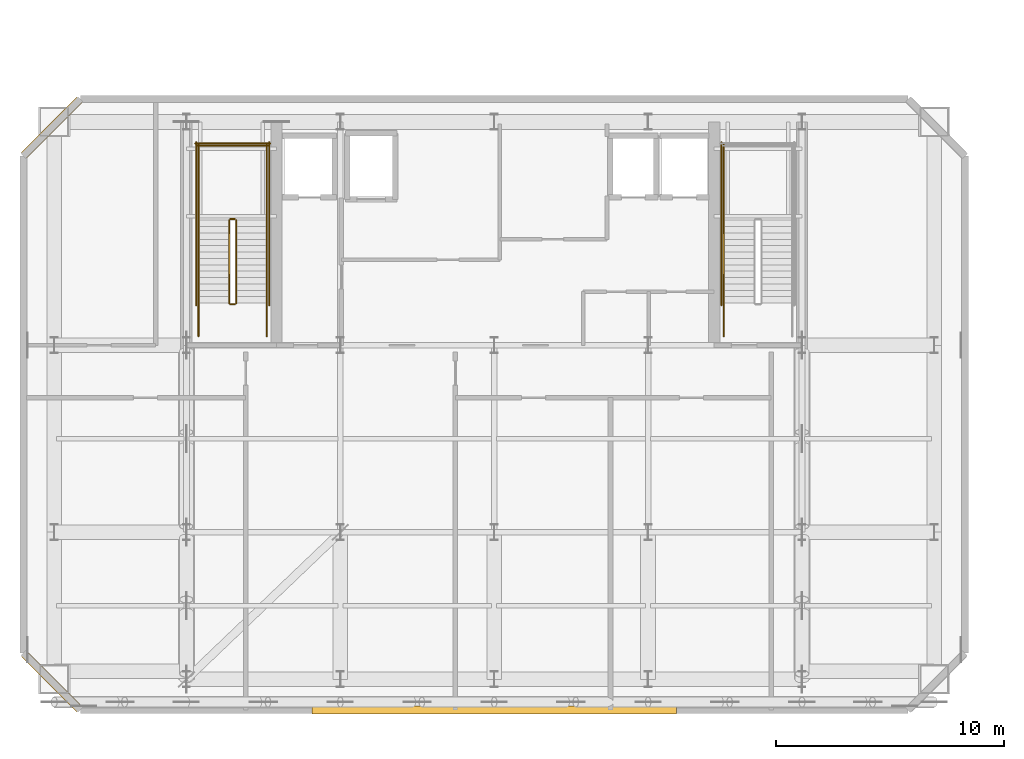
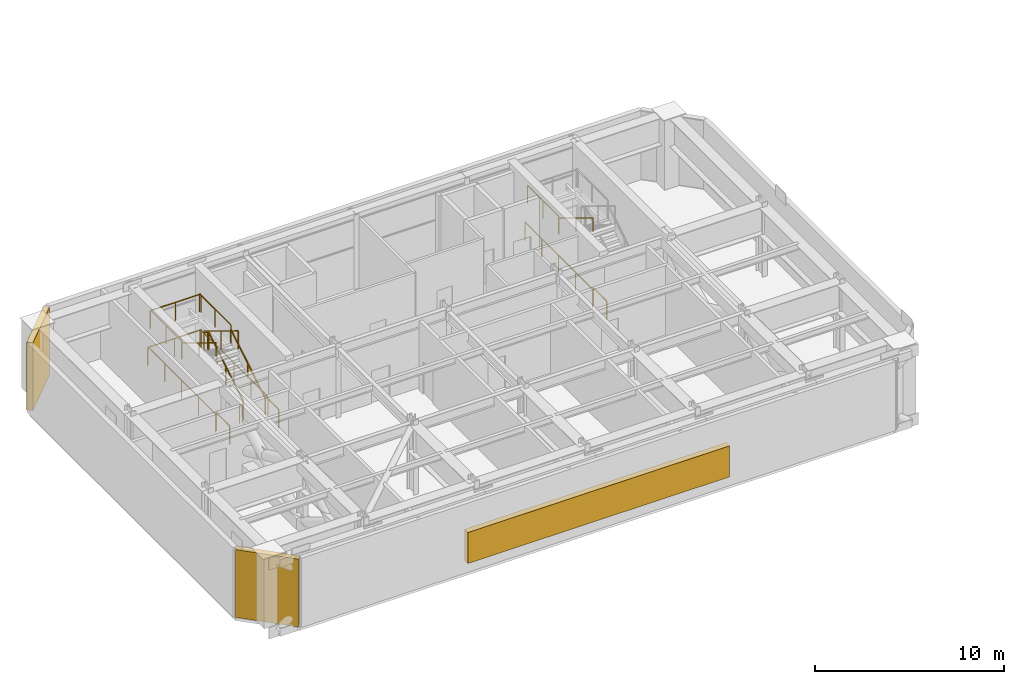
# One storey, part 12 of 15: 18 railings, 3 shading devices.
"""IFC4 building model written with IfcOpenShell, lengths in metres."""

from ifc_helpers import new_model, si_unit, direction, frame, origin, origin_2d, place, context, subcontext, project, spatial, rectangle, extrude, material, layer, layer_set, type_object, element, save


model = new_model("IFC4")

# Units and contexts
model_context = context("Model", 3, precision=1e-05, world=origin(), true_north=direction((0.0, 1.0)))
body_context = subcontext(model_context, "Body", "Model", "MODEL_VIEW")
ifc_project = project(units=[si_unit("LENGTHUNIT", "METRE"), si_unit("AREAUNIT", "SQUARE_METRE"), si_unit("VOLUMEUNIT", "CUBIC_METRE"), si_unit("PLANEANGLEUNIT", "RADIAN"), si_unit("MASSUNIT", "GRAM", prefix="KILO")], contexts=[model_context])

# Site, building, storey
site_placement = place(None, origin())
site = spatial("IfcSite", under=ifc_project, at=site_placement, CompositionType="ELEMENT")
building_placement = place(site_placement, origin())
building = spatial("IfcBuilding", under=site, at=building_placement, Name="Haevon Station Towers", CompositionType="ELEMENT")
storey_placement = place(building_placement, frame((0.0, 0.0, 192.300048828125)))
storey = spatial("IfcBuildingStorey", under=building, at=storey_placement, Name="L53", CompositionType="ELEMENT", Elevation=192.300048828125)

# Railings
ifc_material_1 = material(Name="Steel S355", Category="steel")
railing_type_1 = type_object("IfcRailingType", Name="GRD-STR1200", PredefinedType="GUARDRAIL", material=ifc_material_1)
railing_1_placement = place(storey_placement, frame((26.179931640625, 40.050048828125, 0.17138671875)))
element("IfcRailing", 1, at=railing_1_placement, inside=storey, type_object=railing_type_1, Name="L53 ST1 Stair Guard 1", PredefinedType="GUARDRAIL", context=body_context, shape_type="SweptSolid", body=[
    extrude(rectangle(XDim=0.048095703125, YDim=0.048095703125, at=origin_2d()), frame((0.0, 0.0, 1.17578125), z_axis=(0.0, 0.852850264322, 0.5221555579), x_axis=(-1.0, 0.0, 0.0)), (0.0, 0.0, 1.0), 4.267822265625),
    extrude(rectangle(XDim=0.0419921875, YDim=0.0419921875, at=origin_2d()), origin(), (0.0, 0.0, 1.0), 1.15185546875),
    extrude(rectangle(XDim=0.0419921875, YDim=0.0419921875, at=origin_2d()), frame((0.0, 1.81982421875, 1.1142578125)), (0.0, 0.0, 1.0), 1.15185546875),
    extrude(rectangle(XDim=0.0419921875, YDim=0.0419921875, at=origin_2d()), frame((0.0, 3.639892578125, 2.228515625)), (0.0, 0.0, 1.0), 1.15185546875),
])
railing_2_placement = place(storey_placement, frame((26.1298828125, 43.739990234375, 2.39990234375)))
element("IfcRailing", 2, at=railing_2_placement, inside=storey, type_object=railing_type_1, Name="L53 ST1 Stair Guard 2", PredefinedType="GUARDRAIL", context=body_context, shape_type="SweptSolid", body=[
    extrude(rectangle(XDim=0.048095703125, YDim=0.048095703125, at=origin_2d()), frame((0.0, 0.0, 1.17578125), z_axis=(-1.0, 0.0, 0.0), x_axis=(0.0, -1.0, 0.0)), (0.0, 0.0, 1.0), 0.199951171875),
    extrude(rectangle(XDim=0.0419921875, YDim=0.0419921875, at=origin_2d()), origin(), (0.0, 0.0, 1.0), 1.15185546875),
    extrude(rectangle(XDim=0.0419921875, YDim=0.0419921875, at=origin_2d()), frame((-0.199951171875, 0.0, 0.0)), (0.0, 0.0, 1.0), 1.15185546875),
])
for number, where, name in (
    (3, (27.530029296875, 43.68994140625, 2.39990234375), "L53 ST1 Stair Guard 3"),
    (4, (24.530029296875, 43.68994140625, 2.39990234375), "L53 ST1 Stair Guard 4"),
):
    element("IfcRailing", number, at=place(storey_placement, frame(where)), inside=storey, type_object=railing_type_1, Name=name, PredefinedType="GUARDRAIL", context=body_context, shape_type="SweptSolid", body=[
        extrude(rectangle(XDim=0.048095703125, YDim=0.048095703125, at=origin_2d()), frame((0.0, 0.0, 1.17578125), z_axis=(0.0, 1.0, 0.0), x_axis=(-1.0, 0.0, 0.0)), (0.0, 0.0, 1.0), 3.31005859375),
        extrude(rectangle(XDim=0.0419921875, YDim=0.0419921875, at=origin_2d()), origin(), (0.0, 0.0, 1.0), 1.15185546875),
        extrude(rectangle(XDim=0.0419921875, YDim=0.0419921875, at=origin_2d()), frame((0.0, 1.655029296875, 0.0)), (0.0, 0.0, 1.0), 1.15185546875),
        extrude(rectangle(XDim=0.0419921875, YDim=0.0419921875, at=origin_2d()), frame((0.0, 3.31005859375, 0.0)), (0.0, 0.0, 1.0), 1.15185546875),
    ])
railing_3_placement = place(storey_placement, frame((27.580078125, 46.949951171875, 2.39990234375)))
element("IfcRailing", 5, at=railing_3_placement, inside=storey, type_object=railing_type_1, Name="L53 ST1 Stair Guard 5", PredefinedType="GUARDRAIL", context=body_context, shape_type="SweptSolid", body=[
    extrude(rectangle(XDim=0.048095703125, YDim=0.048095703125, at=origin_2d()), frame((0.0, 0.0, 1.17578125), z_axis=(-1.0, 0.0, 0.0), x_axis=(0.0, -1.0, 0.0)), (0.0, 0.0, 1.0), 3.10009765625),
    extrude(rectangle(XDim=0.0419921875, YDim=0.0419921875, at=origin_2d()), origin(), (0.0, 0.0, 1.0), 1.15185546875),
    extrude(rectangle(XDim=0.0419921875, YDim=0.0419921875, at=origin_2d()), frame((-1.550048828125, 0.0, 0.0)), (0.0, 0.0, 1.0), 1.15185546875),
    extrude(rectangle(XDim=0.0419921875, YDim=0.0419921875, at=origin_2d()), frame((-3.10009765625, 0.0, 0.0)), (0.0, 0.0, 1.0), 1.15185546875),
])
railing_4_placement = place(storey_placement, frame((25.8798828125, 43.68994140625, 2.5712890625)))
element("IfcRailing", 6, at=railing_4_placement, inside=storey, type_object=railing_type_1, Name="L53 ST1 Stair Guard 6", PredefinedType="GUARDRAIL", context=body_context, shape_type="SweptSolid", body=[
    extrude(rectangle(XDim=0.048095703125, YDim=0.048095703125, at=origin_2d()), frame((0.0, 0.0, 1.17578125), z_axis=(0.0, -0.852824790078, 0.522197163366), x_axis=(1.0, 0.0, 0.0)), (0.0, 0.0, 1.0), 4.26806640625),
    extrude(rectangle(XDim=0.0419921875, YDim=0.0419921875, at=origin_2d()), origin(), (0.0, 0.0, 1.0), 1.15185546875),
    extrude(rectangle(XDim=0.0419921875, YDim=0.0419921875, at=origin_2d()), frame((0.0, -1.81982421875, 1.1142578125)), (0.0, 0.0, 1.0), 1.15185546875),
    extrude(rectangle(XDim=0.0419921875, YDim=0.0419921875, at=origin_2d()), frame((0.0, -3.639892578125, 2.228759765625)), (0.0, 0.0, 1.0), 1.15185546875),
])
railing_5_placement = place(storey_placement, frame((26.1298828125, 40.0, 0.0)))
element("IfcRailing", 7, at=railing_5_placement, inside=storey, type_object=railing_type_1, Name="L53 ST1 Stair Guard 7", PredefinedType="GUARDRAIL", context=body_context, shape_type="SweptSolid", body=[
    extrude(rectangle(XDim=0.048095703125, YDim=0.048095703125, at=origin_2d()), frame((0.0, 0.0, 1.17578125), z_axis=(-1.0, 0.0, 0.0), x_axis=(0.0, -1.0, 0.0)), (0.0, 0.0, 1.0), 0.199951171875),
    extrude(rectangle(XDim=0.0419921875, YDim=0.0419921875, at=origin_2d()), origin(), (0.0, 0.0, 1.0), 1.15185546875),
    extrude(rectangle(XDim=0.0419921875, YDim=0.0419921875, at=origin_2d()), frame((-0.199951171875, 0.0, 0.0)), (0.0, 0.0, 1.0), 1.15185546875),
])
for number, where, name in (
    (8, (27.530029296875, 38.60009765625, 0.0), "L53 ST1 Stair Guard 8"),
    (9, (24.530029296875, 38.60009765625, 0.0), "L53 ST1 Stair Guard 9"),
):
    element("IfcRailing", number, at=place(storey_placement, frame(where)), inside=storey, type_object=railing_type_1, Name=name, PredefinedType="GUARDRAIL", context=body_context, shape_type="SweptSolid", body=[
        extrude(rectangle(XDim=0.048095703125, YDim=0.048095703125, at=origin_2d()), frame((0.0, 0.0, 1.17578125), z_axis=(0.0, 1.0, 0.0), x_axis=(-1.0, 0.0, 0.0)), (0.0, 0.0, 1.0), 1.449951171875),
        extrude(rectangle(XDim=0.0419921875, YDim=0.0419921875, at=origin_2d()), origin(), (0.0, 0.0, 1.0), 1.15185546875),
        extrude(rectangle(XDim=0.0419921875, YDim=0.0419921875, at=origin_2d()), frame((0.0, 1.449951171875, 0.0)), (0.0, 0.0, 1.0), 1.15185546875),
    ])
for number, where, name in (
    (10, (27.6298828125, 39.949951171875, 0.0), "L53 ST1 Stair Guard 10"),
    (11, (24.429931640625, 39.949951171875, 0.0), "L53 ST1 Stair Guard 11"),
):
    element("IfcRailing", number, at=place(storey_placement, frame(where)), inside=storey, type_object=railing_type_1, Name=name, PredefinedType="GUARDRAIL", context=body_context, shape_type="SweptSolid", body=[
        extrude(rectangle(XDim=0.048095703125, YDim=0.048095703125, at=origin_2d()), frame((0.0, 0.0, 1.17578125), z_axis=(0.0, 1.0, 0.0), x_axis=(-1.0, 0.0, 0.0)), (0.0, 0.0, 1.0), 7.150146484375),
        extrude(rectangle(XDim=0.0419921875, YDim=0.0419921875, at=origin_2d()), origin(), (0.0, 0.0, 1.0), 1.15185546875),
        extrude(rectangle(XDim=0.0419921875, YDim=0.0419921875, at=origin_2d()), frame((0.0, 1.78759765625, 0.0)), (0.0, 0.0, 1.0), 1.15185546875),
        extrude(rectangle(XDim=0.0419921875, YDim=0.0419921875, at=origin_2d()), frame((0.0, 3.5751953125, 0.0)), (0.0, 0.0, 1.0), 1.15185546875),
        extrude(rectangle(XDim=0.0419921875, YDim=0.0419921875, at=origin_2d()), frame((0.0, 5.362548828125, 0.0)), (0.0, 0.0, 1.0), 1.15185546875),
        extrude(rectangle(XDim=0.0419921875, YDim=0.0419921875, at=origin_2d()), frame((0.0, 7.150146484375, 0.0)), (0.0, 0.0, 1.0), 1.15185546875),
    ])
railing_6_placement = place(storey_placement, frame((27.679931640625, 47.050048828125, 0.0)))
element("IfcRailing", 12, at=railing_6_placement, inside=storey, type_object=railing_type_1, Name="L53 ST1 Stair Guard 12", PredefinedType="GUARDRAIL", context=body_context, shape_type="SweptSolid", body=[
    extrude(rectangle(XDim=0.048095703125, YDim=0.048095703125, at=origin_2d()), frame((0.0, 0.0, 1.17578125), z_axis=(-1.0, 0.0, 0.0), x_axis=(0.0, -1.0, 0.0)), (0.0, 0.0, 1.0), 3.300048828125),
    extrude(rectangle(XDim=0.0419921875, YDim=0.0419921875, at=origin_2d()), origin(), (0.0, 0.0, 1.0), 1.15185546875),
    extrude(rectangle(XDim=0.0419921875, YDim=0.0419921875, at=origin_2d()), frame((-1.64990234375, 0.0, 0.0)), (0.0, 0.0, 1.0), 1.15185546875),
    extrude(rectangle(XDim=0.0419921875, YDim=0.0419921875, at=origin_2d()), frame((-3.300048828125, 0.0, 0.0)), (0.0, 0.0, 1.0), 1.15185546875),
])
railing_7_placement = place(storey_placement, frame((47.570068359375, 43.68994140625, 2.39990234375)))
element("IfcRailing", 13, at=railing_7_placement, inside=storey, type_object=railing_type_1, Name="L53 ST2 Stair Guard 4", PredefinedType="GUARDRAIL", context=body_context, shape_type="SweptSolid", body=[
    extrude(rectangle(XDim=0.048095703125, YDim=0.048095703125, at=origin_2d()), frame((0.0, 0.0, 1.17578125), z_axis=(0.0, 1.0, 0.0), x_axis=(-1.0, 0.0, 0.0)), (0.0, 0.0, 1.0), 3.31005859375),
    extrude(rectangle(XDim=0.0419921875, YDim=0.0419921875, at=origin_2d()), origin(), (0.0, 0.0, 1.0), 1.15185546875),
    extrude(rectangle(XDim=0.0419921875, YDim=0.0419921875, at=origin_2d()), frame((0.0, 1.655029296875, 0.0)), (0.0, 0.0, 1.0), 1.15185546875),
    extrude(rectangle(XDim=0.0419921875, YDim=0.0419921875, at=origin_2d()), frame((0.0, 3.31005859375, 0.0)), (0.0, 0.0, 1.0), 1.15185546875),
])
railing_8_placement = place(storey_placement, frame((47.570068359375, 38.60009765625, 0.0)))
element("IfcRailing", 14, at=railing_8_placement, inside=storey, type_object=railing_type_1, Name="L53 ST2 Stair Guard 9", PredefinedType="GUARDRAIL", context=body_context, shape_type="SweptSolid", body=[
    extrude(rectangle(XDim=0.048095703125, YDim=0.048095703125, at=origin_2d()), frame((0.0, 0.0, 1.17578125), z_axis=(0.0, 1.0, 0.0), x_axis=(-1.0, 0.0, 0.0)), (0.0, 0.0, 1.0), 1.449951171875),
    extrude(rectangle(XDim=0.0419921875, YDim=0.0419921875, at=origin_2d()), origin(), (0.0, 0.0, 1.0), 1.15185546875),
    extrude(rectangle(XDim=0.0419921875, YDim=0.0419921875, at=origin_2d()), frame((0.0, 1.449951171875, 0.0)), (0.0, 0.0, 1.0), 1.15185546875),
])
railing_9_placement = place(storey_placement, frame((47.469970703125, 39.949951171875, 0.0)))
element("IfcRailing", 15, at=railing_9_placement, inside=storey, type_object=railing_type_1, Name="L53 ST2 Stair Guard 11", PredefinedType="GUARDRAIL", context=body_context, shape_type="SweptSolid", body=[
    extrude(rectangle(XDim=0.048095703125, YDim=0.048095703125, at=origin_2d()), frame((0.0, 0.0, 1.17578125), z_axis=(0.0, 1.0, 0.0), x_axis=(-1.0, 0.0, 0.0)), (0.0, 0.0, 1.0), 7.150146484375),
    extrude(rectangle(XDim=0.0419921875, YDim=0.0419921875, at=origin_2d()), origin(), (0.0, 0.0, 1.0), 1.15185546875),
    extrude(rectangle(XDim=0.0419921875, YDim=0.0419921875, at=origin_2d()), frame((0.0, 1.78759765625, 0.0)), (0.0, 0.0, 1.0), 1.15185546875),
    extrude(rectangle(XDim=0.0419921875, YDim=0.0419921875, at=origin_2d()), frame((0.0, 3.5751953125, 0.0)), (0.0, 0.0, 1.0), 1.15185546875),
    extrude(rectangle(XDim=0.0419921875, YDim=0.0419921875, at=origin_2d()), frame((0.0, 5.362548828125, 0.0)), (0.0, 0.0, 1.0), 1.15185546875),
    extrude(rectangle(XDim=0.0419921875, YDim=0.0419921875, at=origin_2d()), frame((0.0, 7.150146484375, 0.0)), (0.0, 0.0, 1.0), 1.15185546875),
])
railing_type_2 = type_object("IfcRailingType", Name="HND-STR900", PredefinedType="HANDRAIL", material=ifc_material_1)
railing_10_placement = place(storey_placement, frame((27.530029296875, 40.050048828125, 0.17138671875)))
element("IfcRailing", 16, at=railing_10_placement, inside=storey, type_object=railing_type_2, Name="L53 ST1 Stair Handrail 1", PredefinedType="HANDRAIL", context=body_context, shape_type="SweptSolid", body=[
    extrude(rectangle(XDim=0.048095703125, YDim=0.048095703125, at=origin_2d()), frame((0.0, 0.0, 0.8759765625), z_axis=(0.0, 0.852850264322, 0.5221555579), x_axis=(-1.0, 0.0, 0.0)), (0.0, 0.0, 1.0), 4.267822265625),
    extrude(rectangle(XDim=0.0419921875, YDim=0.0419921875, at=origin_2d()), origin(), (0.0, 0.0, 1.0), 0.851806640625),
    extrude(rectangle(XDim=0.0419921875, YDim=0.0419921875, at=origin_2d()), frame((0.0, 1.81982421875, 1.1142578125)), (0.0, 0.0, 1.0), 0.851806640625),
    extrude(rectangle(XDim=0.0419921875, YDim=0.0419921875, at=origin_2d()), frame((0.0, 3.639892578125, 2.228515625)), (0.0, 0.0, 1.0), 0.851806640625),
])
for number, where, name in (
    (17, (24.530029296875, 43.68994140625, 2.5712890625), "L53 ST1 Stair Handrail 2"),
    (18, (47.570068359375, 43.68994140625, 2.5712890625), "L53 ST2 Stair Handrail 2"),
):
    element("IfcRailing", number, at=place(storey_placement, frame(where)), inside=storey, type_object=railing_type_2, Name=name, PredefinedType="HANDRAIL", context=body_context, shape_type="SweptSolid", body=[
        extrude(rectangle(XDim=0.048095703125, YDim=0.048095703125, at=origin_2d()), frame((0.0, 0.0, 0.8759765625), z_axis=(0.0, -0.852824790078, 0.522197163366), x_axis=(1.0, 0.0, 0.0)), (0.0, 0.0, 1.0), 4.26806640625),
        extrude(rectangle(XDim=0.0419921875, YDim=0.0419921875, at=origin_2d()), origin(), (0.0, 0.0, 1.0), 0.851806640625),
        extrude(rectangle(XDim=0.0419921875, YDim=0.0419921875, at=origin_2d()), frame((0.0, -1.81982421875, 1.1142578125)), (0.0, 0.0, 1.0), 0.851806640625),
        extrude(rectangle(XDim=0.0419921875, YDim=0.0419921875, at=origin_2d()), frame((0.0, -3.639892578125, 2.228759765625)), (0.0, 0.0, 1.0), 0.851806640625),
    ])

# Shading devices
ifc_material_2 = material(Name="Anodised aluminium 6063-T6", Category="aluminium")
ifc_layer_1 = layer(ifc_material_2, 0.1201171875)
ifc_layer_set_1 = layer_set([ifc_layer_1], Name="Anodised aluminium 6063-T6")
shading_device_type_1 = type_object("IfcShadingDeviceType", Name="SHD-REF-LOUVRE", PredefinedType="USERDEFINED", material=ifc_layer_set_1)
shading_device_placement = place(storey_placement, frame((37.5, 22.199951171875, 0.599853515625), z_axis=(0.0, 0.0, 1.0), x_axis=(1.0, 0.0, 0.0)))
element("IfcShadingDevice", 19, at=shading_device_placement, inside=storey, type_object=shading_device_type_1, Name="Tower 1 L53 Refuge Plant Weather Louvre", ObjectType="LOUVRE", PredefinedType="USERDEFINED", context=body_context, shape_type="SweptSolid", body=[
    extrude(rectangle(XDim=16.0, YDim=0.360107421875, at=origin_2d()), origin(), (0.0, 0.0, 1.0), 2.0),
])
ifc_layer_2 = layer(ifc_material_2, 0.139892578125)
ifc_layer_set_2 = layer_set([ifc_layer_2], Name="Anodised aluminium 6063-T6")
shading_device_type_2 = type_object("IfcShadingDeviceType", Name="SHD-WIND-BAFFLE", PredefinedType="SHUTTER", material=ifc_layer_set_2)
for number, where, z_axis, x_axis, name in (
    (20, (18.10009765625, 23.449951171875, 0.050048828125), (0.0, 0.0, 1.0), (-0.707106781187, 0.707106781187, 0.0), "Tower 1 L53 Wind-Corner Aerofoil Baffle SWC"),
    (21, (18.10009765625, 47.75, 0.050048828125), (0.0, 0.0, 1.0), (0.707106781187, 0.707106781187, 0.0), "Tower 1 L53 Wind-Corner Aerofoil Baffle NWC"),
):
    element("IfcShadingDevice", number, at=place(storey_placement, frame(where, z_axis=z_axis, x_axis=x_axis)), inside=storey, type_object=shading_device_type_2, Name=name, PredefinedType="SHUTTER", context=body_context, shape_type="SweptSolid", body=[
        extrude(rectangle(XDim=3.435546875, YDim=0.340087890625, at=origin_2d()), origin(), (0.0, 0.0, 1.0), 4.3798828125),
    ])

save(model, "model.ifc")
